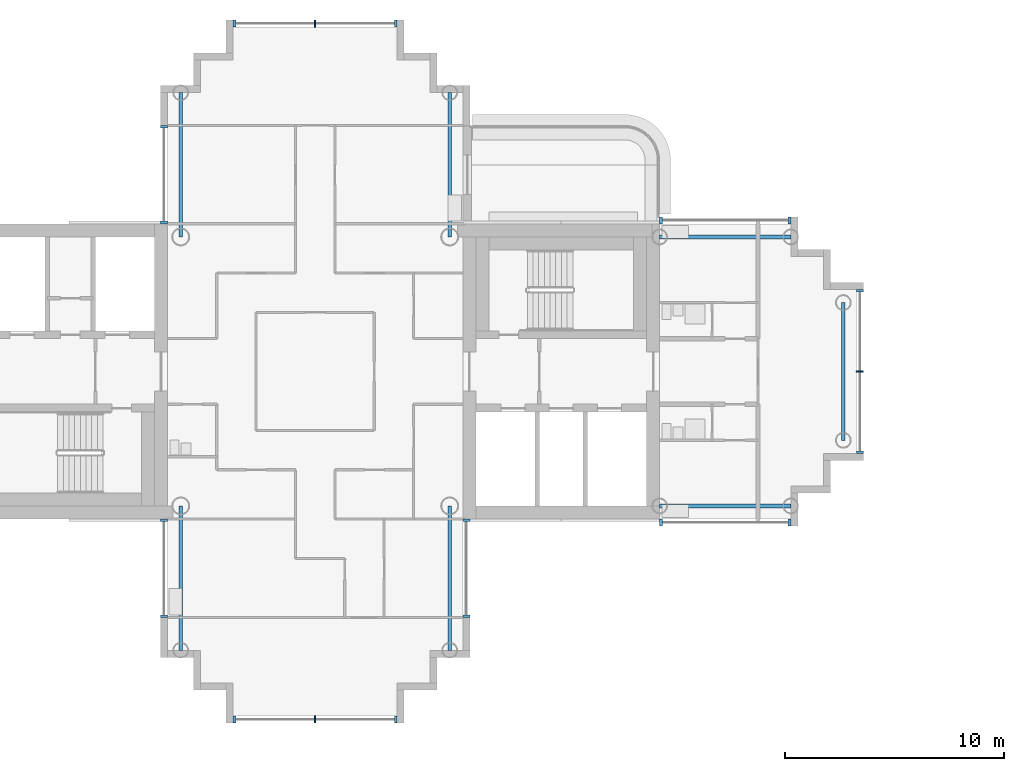
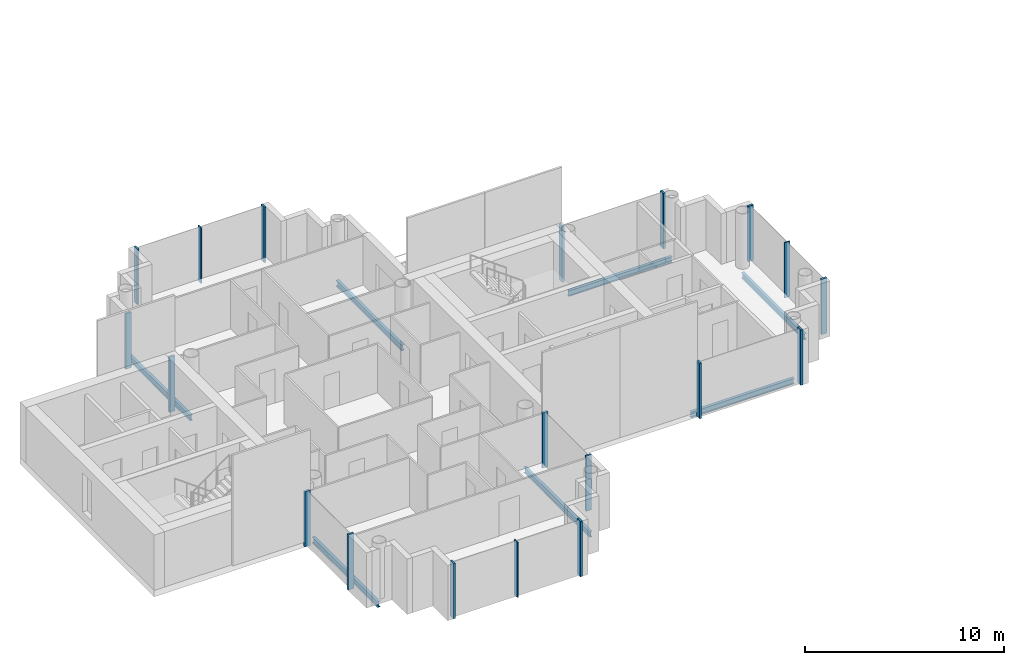
# One storey, part 3 of 18: 19 members, 7 beams, 8 elements without a shape of their own.
"""IFC4 building model written with IfcOpenShell, lengths in metres."""

from ifc_helpers import new_model, si_unit, direction, frame, origin, origin_2d, place, context, subcontext, project, spatial, rectangle, i_section, extrude, material, layer, layer_set, material_profile, profile_set, type_object, element, aggregate, save


model = new_model("IFC4")

# Units and contexts
model_context = context("Model", 3, precision=1e-05, world=origin(), true_north=direction((0.0, 1.0)))
body_context = subcontext(model_context, "Body", "Model", "MODEL_VIEW")
ifc_project = project(units=[si_unit("LENGTHUNIT", "METRE"), si_unit("AREAUNIT", "SQUARE_METRE"), si_unit("VOLUMEUNIT", "CUBIC_METRE"), si_unit("PLANEANGLEUNIT", "RADIAN"), si_unit("MASSUNIT", "GRAM", prefix="KILO")], contexts=[model_context])

# Site, building, storey
site_placement = place(None, origin())
site = spatial("IfcSite", under=ifc_project, at=site_placement, CompositionType="ELEMENT")
building_placement = place(site_placement, origin())
building = spatial("IfcBuilding", under=site, at=building_placement, Name="Ipe Terrace Towers", CompositionType="ELEMENT")
storey_placement = place(building_placement, frame((0.0, 0.0, 206.199951171875)))
storey = spatial("IfcBuildingStorey", under=building, at=storey_placement, Name="L57", CompositionType="ELEMENT", Elevation=206.199951171875)

# Beams
ifc_material_1 = material(Name="Steel S355", Category="steel")
ifc_material_profile_1 = material_profile(ifc_material_1, i_section(OverallWidth=0.175048828125, OverallDepth=0.35009765625, WebThickness=0.007080078125, FlangeThickness=0.010986328125, at=origin_2d()), Name="H-350x175x7x11")
ifc_profile_set_1 = profile_set([ifc_material_profile_1], Name="Steel S355")
beam_type = type_object("IfcBeamType", Name="H04 EDGE BEAM H-350x175x7x11", PredefinedType="BEAM", material=ifc_profile_set_1)
for number, where, z_axis, x_axis, name in (
    (1, (-20.25, -6.14990234375, -0.574951171875), (1.0, 0.0, 0.0), (0.0, 1.0, 0.0), "Edge beam T1-EB-A01-A03"),
    (2, (-20.25, 6.14990234375, -0.574951171875), (1.0, 0.0, 0.0), (0.0, 1.0, 0.0), "Edge beam T1-EB-A02-A04"),
):
    element("IfcBeam", number, at=place(storey_placement, frame(where, z_axis=z_axis, x_axis=x_axis)), inside=storey, type_object=beam_type, Name=name, PredefinedType="BEAM", context=body_context, shape_type="SweptSolid", body=[
        extrude(i_section(OverallWidth=0.175048828125, OverallDepth=0.35009765625, WebThickness=0.007080078125, FlangeThickness=0.010986328125, at=origin_2d()), origin(), (0.0, 0.0, 1.0), 6.0),
    ])
beam_placement = place(storey_placement, frame((-11.85009765625, -3.14990234375, -0.574951171875), z_axis=(0.0, 1.0, 0.0), x_axis=(-1.0, 0.0, 0.0)))
element("IfcBeam", 3, at=beam_placement, inside=storey, type_object=beam_type, Name="Edge beam T1-EB-A05-A06", PredefinedType="BEAM", context=body_context, shape_type="SweptSolid", body=[
    extrude(i_section(OverallWidth=0.175048828125, OverallDepth=0.35009765625, WebThickness=0.007080078125, FlangeThickness=0.010986328125, at=origin_2d()), origin(), (0.0, 0.0, 1.0), 6.2998046875),
])
for number, where, z_axis, x_axis, name in (
    (4, (-29.85009765625, 12.75, -0.574951171875), (0.0, -1.0, 0.0), (1.0, 0.0, 0.0), "Edge beam T1-EB-B01-E03"),
    (5, (-42.14990234375, 12.75, -0.574951171875), (0.0, -1.0, 0.0), (1.0, 0.0, 0.0), "Edge beam T1-EB-B02-E04"),
    (6, (-42.14990234375, -12.75, -0.574951171875), (0.0, 1.0, 0.0), (-1.0, 0.0, 0.0), "Edge beam T1-EB-D01-E01"),
    (7, (-29.85009765625, -12.75, -0.574951171875), (0.0, 1.0, 0.0), (-1.0, 0.0, 0.0), "Edge beam T1-EB-D02-E02"),
):
    element("IfcBeam", number, at=place(storey_placement, frame(where, z_axis=z_axis, x_axis=x_axis)), inside=storey, type_object=beam_type, Name=name, PredefinedType="BEAM", context=body_context, shape_type="SweptSolid", body=[
        extrude(i_section(OverallWidth=0.175048828125, OverallDepth=0.35009765625, WebThickness=0.007080078125, FlangeThickness=0.010986328125, at=origin_2d()), origin(), (0.0, 0.0, 1.0), 6.60009765625),
    ])

# Curtain wall, members
ifc_material_2 = material(Name="Aluminium alloy 6063-T6", Category="aluminium")
ifc_layer = layer(ifc_material_2, 0.320068359375)
ifc_layer_set = layer_set([ifc_layer], Name="TOWER UNITISED CURTAIN WALL")
curtain_wall_type = type_object("IfcCurtainWallType", Name="TOWER UNITISED CURTAIN WALL", PredefinedType="NOTDEFINED", material=ifc_layer_set)
curtain_wall_1_placement = place(storey_placement, origin())
curtain_wall_1 = element("IfcCurtainWall", 8, at=curtain_wall_1_placement, inside=storey, type_object=curtain_wall_type, Name="T1-CW-L57-02a curtain wall", PredefinedType="NOTDEFINED")
ifc_material_3 = material(Name="Aluminium alloy 6063-T6", Category="aluminium")
ifc_material_profile_2 = material_profile(ifc_material_3, rectangle(XDim=0.320068359375, YDim=0.1201171875, at=origin_2d()), Name="TOWER UNITISED CORNER MULLION 320 x 120")
ifc_profile_set_2 = profile_set([ifc_material_profile_2], Name="Aluminium alloy 6063-T6")
member_type_1 = type_object("IfcMemberType", Name="TOWER UNITISED CORNER MULLION 320 x 120", PredefinedType="MULLION", material=ifc_profile_set_2)
member_1_placement = place(storey_placement, frame((-42.909912109375, -6.81005859375, -0.300048828125), z_axis=(0.0, 0.0, 1.0), x_axis=(-1.0, 0.0, 0.0)))
member_1 = element("IfcMember", 9, at=member_1_placement, type_object=member_type_1, Name="T1-CW-L57-02a mullion 1", PredefinedType="MULLION", context=body_context, shape_type="SweptSolid", body=[
    extrude(rectangle(XDim=0.320068359375, YDim=0.1201171875, at=origin_2d()), origin(), (0.0, 0.0, 1.0), 3.400146484375),
])
member_2_placement = place(storey_placement, frame((-42.909912109375, -11.18994140625, -0.300048828125), z_axis=(0.0, 0.0, 1.0), x_axis=(-1.0, 0.0, 0.0)))
member_2 = element("IfcMember", 10, at=member_2_placement, type_object=member_type_1, Name="T1-CW-L57-02a mullion 2", PredefinedType="MULLION", context=body_context, shape_type="SweptSolid", body=[
    extrude(rectangle(XDim=0.320068359375, YDim=0.1201171875, at=origin_2d()), origin(), (0.0, 0.0, 1.0), 3.400146484375),
])
aggregate(curtain_wall_1, [member_1, member_2])

curtain_wall_2_placement = place(storey_placement, origin())
curtain_wall_2 = element("IfcCurtainWall", 11, at=curtain_wall_2_placement, inside=storey, type_object=curtain_wall_type, Name="T1-CW-L57-08a curtain wall", PredefinedType="NOTDEFINED")
member_3_placement = place(storey_placement, frame((-39.68994140625, -15.909912109375, -0.300048828125), z_axis=(0.0, 0.0, 1.0), x_axis=(0.0, -1.0, 0.0)))
member_3 = element("IfcMember", 12, at=member_3_placement, type_object=member_type_1, Name="T1-CW-L57-08a mullion 1", PredefinedType="MULLION", context=body_context, shape_type="SweptSolid", body=[
    extrude(rectangle(XDim=0.320068359375, YDim=0.1201171875, at=origin_2d()), origin(), (0.0, 0.0, 1.0), 3.400146484375),
])
member_4_placement = place(storey_placement, frame((-32.31005859375, -15.909912109375, -0.300048828125), z_axis=(0.0, 0.0, 1.0), x_axis=(0.0, -1.0, 0.0)))
member_4 = element("IfcMember", 13, at=member_4_placement, type_object=member_type_1, Name="T1-CW-L57-08a mullion 3", PredefinedType="MULLION", context=body_context, shape_type="SweptSolid", body=[
    extrude(rectangle(XDim=0.320068359375, YDim=0.1201171875, at=origin_2d()), origin(), (0.0, 0.0, 1.0), 3.400146484375),
])

curtain_wall_3_placement = place(storey_placement, origin())
curtain_wall_3 = element("IfcCurtainWall", 14, at=curtain_wall_3_placement, inside=storey, type_object=curtain_wall_type, Name="T1-CW-L57-14a curtain wall", PredefinedType="NOTDEFINED")
member_5_placement = place(storey_placement, frame((-29.090087890625, -11.18994140625, -0.300048828125), z_axis=(0.0, 0.0, 1.0), x_axis=(1.0, 0.0, 0.0)))
member_5 = element("IfcMember", 15, at=member_5_placement, type_object=member_type_1, Name="T1-CW-L57-14a mullion 1", PredefinedType="MULLION", context=body_context, shape_type="SweptSolid", body=[
    extrude(rectangle(XDim=0.320068359375, YDim=0.1201171875, at=origin_2d()), origin(), (0.0, 0.0, 1.0), 3.400146484375),
])
member_6_placement = place(storey_placement, frame((-29.090087890625, -6.81005859375, -0.300048828125), z_axis=(0.0, 0.0, 1.0), x_axis=(1.0, 0.0, 0.0)))
member_6 = element("IfcMember", 16, at=member_6_placement, type_object=member_type_1, Name="T1-CW-L57-14a mullion 2", PredefinedType="MULLION", context=body_context, shape_type="SweptSolid", body=[
    extrude(rectangle(XDim=0.320068359375, YDim=0.1201171875, at=origin_2d()), origin(), (0.0, 0.0, 1.0), 3.400146484375),
])
aggregate(curtain_wall_3, [member_5, member_6])

curtain_wall_4_placement = place(storey_placement, origin())
curtain_wall_4 = element("IfcCurtainWall", 17, at=curtain_wall_4_placement, inside=storey, type_object=curtain_wall_type, Name="T1-CW-L57-16b curtain wall", PredefinedType="NOTDEFINED")
member_7_placement = place(storey_placement, frame((-20.18896484375, -6.909912109375, -0.300048828125), z_axis=(0.0, 0.0, 1.0), x_axis=(0.0, -1.0, 0.0)))
member_7 = element("IfcMember", 18, at=member_7_placement, type_object=member_type_1, Name="T1-CW-L57-16b mullion 1", PredefinedType="MULLION", context=body_context, shape_type="SweptSolid", body=[
    extrude(rectangle(XDim=0.320068359375, YDim=0.1201171875, at=origin_2d()), origin(), (0.0, 0.0, 1.0), 3.400146484375),
])
member_8_placement = place(storey_placement, frame((-14.31005859375, -6.909912109375, -0.300048828125), z_axis=(0.0, 0.0, 1.0), x_axis=(0.0, -1.0, 0.0)))
member_8 = element("IfcMember", 19, at=member_8_placement, type_object=member_type_1, Name="T1-CW-L57-16b mullion 2", PredefinedType="MULLION", context=body_context, shape_type="SweptSolid", body=[
    extrude(rectangle(XDim=0.320068359375, YDim=0.1201171875, at=origin_2d()), origin(), (0.0, 0.0, 1.0), 3.400146484375),
])
aggregate(curtain_wall_4, [member_7, member_8])

curtain_wall_5_placement = place(storey_placement, origin())
curtain_wall_5 = element("IfcCurtainWall", 20, at=curtain_wall_5_placement, inside=storey, type_object=curtain_wall_type, Name="T1-CW-L57-21a curtain wall", PredefinedType="NOTDEFINED")
member_9_placement = place(storey_placement, frame((-11.090087890625, -3.68994140625, -0.300048828125), z_axis=(0.0, 0.0, 1.0), x_axis=(1.0, 0.0, 0.0)))
member_9 = element("IfcMember", 21, at=member_9_placement, type_object=member_type_1, Name="T1-CW-L57-21a mullion 1", PredefinedType="MULLION", context=body_context, shape_type="SweptSolid", body=[
    extrude(rectangle(XDim=0.320068359375, YDim=0.1201171875, at=origin_2d()), origin(), (0.0, 0.0, 1.0), 3.400146484375),
])
member_10_placement = place(storey_placement, frame((-11.090087890625, 3.68994140625, -0.300048828125), z_axis=(0.0, 0.0, 1.0), x_axis=(1.0, 0.0, 0.0)))
member_10 = element("IfcMember", 22, at=member_10_placement, type_object=member_type_1, Name="T1-CW-L57-21a mullion 3", PredefinedType="MULLION", context=body_context, shape_type="SweptSolid", body=[
    extrude(rectangle(XDim=0.320068359375, YDim=0.1201171875, at=origin_2d()), origin(), (0.0, 0.0, 1.0), 3.400146484375),
])

curtain_wall_6_placement = place(storey_placement, origin())
curtain_wall_6 = element("IfcCurtainWall", 23, at=curtain_wall_6_placement, inside=storey, type_object=curtain_wall_type, Name="T1-CW-L57-26a curtain wall", PredefinedType="NOTDEFINED")
member_11_placement = place(storey_placement, frame((-14.31005859375, 6.909912109375, -0.300048828125), z_axis=(0.0, 0.0, 1.0), x_axis=(0.0, 1.0, 0.0)))
member_11 = element("IfcMember", 24, at=member_11_placement, type_object=member_type_1, Name="T1-CW-L57-26a mullion 1", PredefinedType="MULLION", context=body_context, shape_type="SweptSolid", body=[
    extrude(rectangle(XDim=0.320068359375, YDim=0.1201171875, at=origin_2d()), origin(), (0.0, 0.0, 1.0), 3.400146484375),
])
member_12_placement = place(storey_placement, frame((-20.18896484375, 6.909912109375, -0.300048828125), z_axis=(0.0, 0.0, 1.0), x_axis=(0.0, 1.0, 0.0)))
member_12 = element("IfcMember", 25, at=member_12_placement, type_object=member_type_1, Name="T1-CW-L57-26a mullion 2", PredefinedType="MULLION", context=body_context, shape_type="SweptSolid", body=[
    extrude(rectangle(XDim=0.320068359375, YDim=0.1201171875, at=origin_2d()), origin(), (0.0, 0.0, 1.0), 3.400146484375),
])
aggregate(curtain_wall_6, [member_11, member_12])

curtain_wall_7_placement = place(storey_placement, origin())
curtain_wall_7 = element("IfcCurtainWall", 26, at=curtain_wall_7_placement, inside=storey, type_object=curtain_wall_type, Name="T1-CW-L57-34a curtain wall", PredefinedType="NOTDEFINED")
member_13_placement = place(storey_placement, frame((-32.31005859375, 15.909912109375, -0.300048828125), z_axis=(0.0, 0.0, 1.0), x_axis=(0.0, 1.0, 0.0)))
member_13 = element("IfcMember", 27, at=member_13_placement, type_object=member_type_1, Name="T1-CW-L57-34a mullion 1", PredefinedType="MULLION", context=body_context, shape_type="SweptSolid", body=[
    extrude(rectangle(XDim=0.320068359375, YDim=0.1201171875, at=origin_2d()), origin(), (0.0, 0.0, 1.0), 3.400146484375),
])
member_14_placement = place(storey_placement, frame((-39.68994140625, 15.909912109375, -0.300048828125), z_axis=(0.0, 0.0, 1.0), x_axis=(0.0, 1.0, 0.0)))
member_14 = element("IfcMember", 28, at=member_14_placement, type_object=member_type_1, Name="T1-CW-L57-34a mullion 3", PredefinedType="MULLION", context=body_context, shape_type="SweptSolid", body=[
    extrude(rectangle(XDim=0.320068359375, YDim=0.1201171875, at=origin_2d()), origin(), (0.0, 0.0, 1.0), 3.400146484375),
])

curtain_wall_8_placement = place(storey_placement, origin())
curtain_wall_8 = element("IfcCurtainWall", 29, at=curtain_wall_8_placement, inside=storey, type_object=curtain_wall_type, Name="T1-CW-L57-40a curtain wall", PredefinedType="NOTDEFINED")
member_15_placement = place(storey_placement, frame((-42.909912109375, 11.18994140625, -0.300048828125), z_axis=(0.0, 0.0, 1.0), x_axis=(-1.0, 0.0, 0.0)))
member_15 = element("IfcMember", 30, at=member_15_placement, type_object=member_type_1, Name="T1-CW-L57-40a mullion 1", PredefinedType="MULLION", context=body_context, shape_type="SweptSolid", body=[
    extrude(rectangle(XDim=0.320068359375, YDim=0.1201171875, at=origin_2d()), origin(), (0.0, 0.0, 1.0), 3.400146484375),
])
member_16_placement = place(storey_placement, frame((-42.909912109375, 6.81005859375, -0.300048828125), z_axis=(0.0, 0.0, 1.0), x_axis=(-1.0, 0.0, 0.0)))
member_16 = element("IfcMember", 31, at=member_16_placement, type_object=member_type_1, Name="T1-CW-L57-40a mullion 2", PredefinedType="MULLION", context=body_context, shape_type="SweptSolid", body=[
    extrude(rectangle(XDim=0.320068359375, YDim=0.1201171875, at=origin_2d()), origin(), (0.0, 0.0, 1.0), 3.400146484375),
])
aggregate(curtain_wall_8, [member_15, member_16])

# Member
ifc_material_4 = material(Name="Aluminium alloy 6063-T6", Category="aluminium")
ifc_material_profile_3 = material_profile(ifc_material_4, rectangle(XDim=0.320068359375, YDim=0.06494140625, at=origin_2d()), Name="TOWER UNITISED MULLION 320 x 65")
ifc_profile_set_3 = profile_set([ifc_material_profile_3], Name="Aluminium alloy 6063-T6")
member_type_2 = type_object("IfcMemberType", Name="TOWER UNITISED MULLION 320 x 65", PredefinedType="MULLION", material=ifc_profile_set_3)
member_17_placement = place(storey_placement, frame((-36.0, -15.909912109375, -0.300048828125), z_axis=(0.0, 0.0, 1.0), x_axis=(0.0, -1.0, 0.0)))
member_17 = element("IfcMember", 32, at=member_17_placement, type_object=member_type_2, Name="T1-CW-L57-08a mullion 2", PredefinedType="MULLION", context=body_context, shape_type="SweptSolid", body=[
    extrude(rectangle(XDim=0.320068359375, YDim=0.06494140625, at=origin_2d()), origin(), (0.0, 0.0, 1.0), 3.400146484375),
])

aggregate(curtain_wall_2, [member_3, member_17, member_4])

member_18_placement = place(storey_placement, frame((-11.090087890625, 0.0, -0.300048828125), z_axis=(0.0, 0.0, 1.0), x_axis=(1.0, 0.0, 0.0)))
member_18 = element("IfcMember", 33, at=member_18_placement, type_object=member_type_2, Name="T1-CW-L57-21a mullion 2", PredefinedType="MULLION", context=body_context, shape_type="SweptSolid", body=[
    extrude(rectangle(XDim=0.320068359375, YDim=0.06494140625, at=origin_2d()), origin(), (0.0, 0.0, 1.0), 3.400146484375),
])

aggregate(curtain_wall_5, [member_9, member_18, member_10])

member_19_placement = place(storey_placement, frame((-36.0, 15.909912109375, -0.300048828125), z_axis=(0.0, 0.0, 1.0), x_axis=(0.0, 1.0, 0.0)))
member_19 = element("IfcMember", 34, at=member_19_placement, type_object=member_type_2, Name="T1-CW-L57-34a mullion 2", PredefinedType="MULLION", context=body_context, shape_type="SweptSolid", body=[
    extrude(rectangle(XDim=0.320068359375, YDim=0.06494140625, at=origin_2d()), origin(), (0.0, 0.0, 1.0), 3.400146484375),
])

aggregate(curtain_wall_7, [member_13, member_19, member_14])

save(model, "model.ifc")
